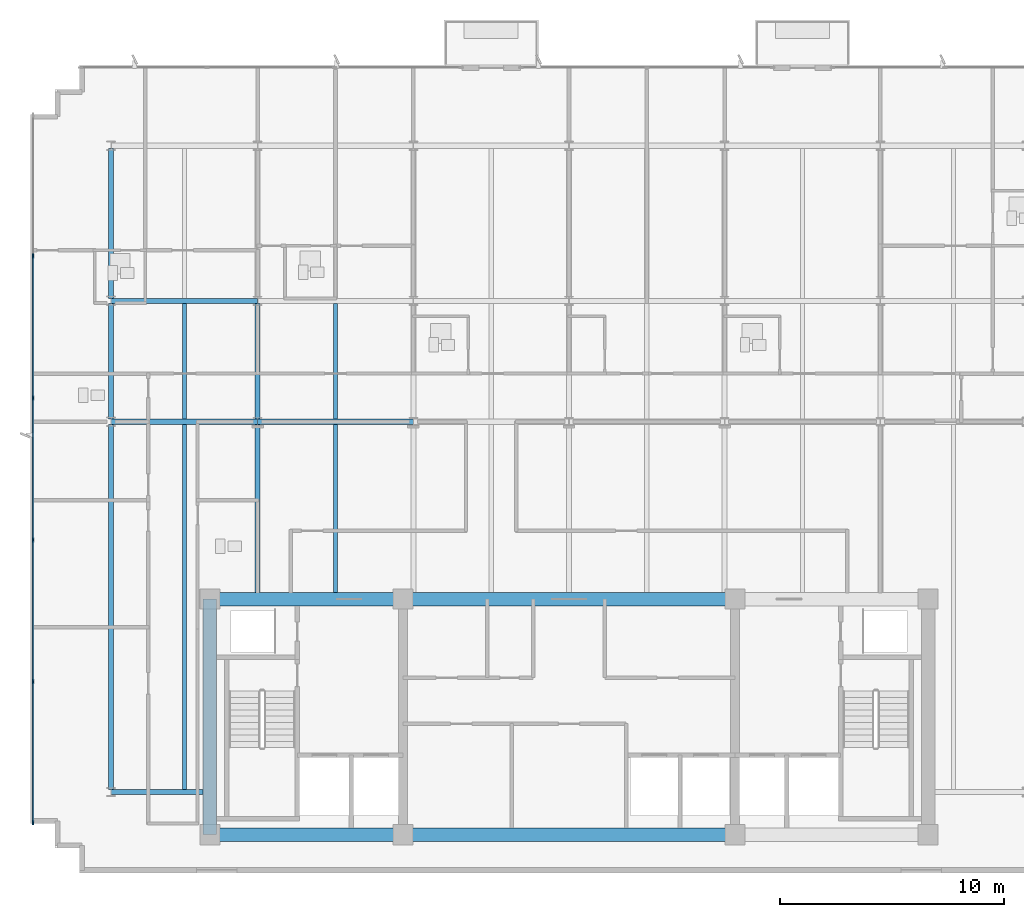
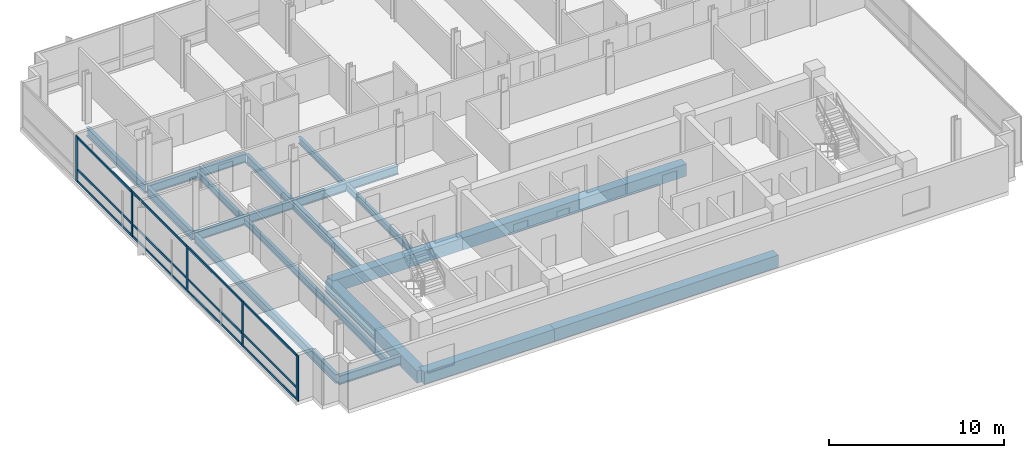
# One storey, part 2 of 14: 18 beams, 17 members, 1 element without a shape of its own.
"""IFC4 building model written with IfcOpenShell, lengths in metres."""

from ifc_helpers import new_model, si_unit, direction, frame, origin, origin_2d, place, context, subcontext, project, spatial, rectangle, i_section, extrude, material, material_profile, profile_set, type_object, element, aggregate, save


model = new_model("IFC4")

# Units and contexts
model_context = context("Model", 3, precision=1e-05, world=origin(), true_north=direction((0.0, 1.0)))
body_context = subcontext(model_context, "Body", "Model", "MODEL_VIEW")
ifc_project = project(units=[si_unit("LENGTHUNIT", "METRE"), si_unit("AREAUNIT", "SQUARE_METRE"), si_unit("VOLUMEUNIT", "CUBIC_METRE"), si_unit("PLANEANGLEUNIT", "RADIAN"), si_unit("MASSUNIT", "GRAM", prefix="KILO")], contexts=[model_context])

# Site, building, storey
site_placement = place(None, origin())
site = spatial("IfcSite", under=ifc_project, at=site_placement, CompositionType="ELEMENT")
building_placement = place(site_placement, origin())
building = spatial("IfcBuilding", under=site, at=building_placement, Name="Solmavex Isthmus Hotel", CompositionType="ELEMENT")
storey_placement = place(building_placement, frame((0.0, 0.0, 255.75)))
storey = spatial("IfcBuildingStorey", under=building, at=storey_placement, Name="L69", CompositionType="ELEMENT", Elevation=255.75)

# Beams
ifc_material_1 = material(Name="Steel ASTM A992 Grade 50", Category="steel")
ifc_material_profile_1 = material_profile(ifc_material_1, i_section(OverallWidth=0.1904296875, OverallDepth=0.456787109375, WebThickness=0.009033203125, FlangeThickness=0.014404296875, FilletRadius=0.0126953125, at=origin_2d()), Name="W18X50")
ifc_profile_set_1 = profile_set([ifc_material_profile_1], Name="Steel ASTM A992 Grade 50")
beam_type_1 = type_object("IfcBeamType", Name="BM-BJ-W18X50", PredefinedType="JOIST", material=ifc_profile_set_1)
beam_1_placement = place(storey_placement, frame((-17.135986328125, -10.98486328125, -0.488525390625), z_axis=(0.0, 1.0, 0.0), x_axis=(-1.0, 0.0, 0.0)))
element("IfcBeam", 1, at=beam_1_placement, inside=storey, type_object=beam_type_1, Name="Secondary Floor Joist L69-J01", PredefinedType="JOIST", context=body_context, shape_type="SweptSolid", body=[
    extrude(i_section(OverallWidth=0.1904296875, OverallDepth=0.456787109375, WebThickness=0.009033203125, FlangeThickness=0.014404296875, FilletRadius=0.0126953125, at=origin_2d()), origin(), (0.0, 0.0, 1.0), 16.27099609375),
])
beam_2_placement = place(storey_placement, frame((-17.135986328125, 5.513916015625, -0.488525390625), z_axis=(0.0, 1.0, 0.0), x_axis=(-1.0, 0.0, 0.0)))
element("IfcBeam", 2, at=beam_2_placement, inside=storey, type_object=beam_type_1, Name="Secondary Floor Joist L69-J02", PredefinedType="JOIST", context=body_context, shape_type="SweptSolid", body=[
    extrude(i_section(OverallWidth=0.1904296875, OverallDepth=0.456787109375, WebThickness=0.009033203125, FlangeThickness=0.014404296875, FilletRadius=0.0126953125, at=origin_2d()), origin(), (0.0, 0.0, 1.0), 5.16015625),
])
beam_3_placement = place(storey_placement, frame((-10.404052734375, -2.199951171875, -0.488525390625), z_axis=(0.0, 1.0, 0.0), x_axis=(-1.0, 0.0, 0.0)))
element("IfcBeam", 3, at=beam_3_placement, inside=storey, type_object=beam_type_1, Name="Secondary Floor Joist L69-J04", PredefinedType="JOIST", context=body_context, shape_type="SweptSolid", body=[
    extrude(i_section(OverallWidth=0.1904296875, OverallDepth=0.456787109375, WebThickness=0.009033203125, FlangeThickness=0.014404296875, FilletRadius=0.0126953125, at=origin_2d()), origin(), (0.0, 0.0, 1.0), 7.486083984375),
])
beam_4_placement = place(storey_placement, frame((-10.404052734375, 5.513916015625, -0.488525390625), z_axis=(0.0, 1.0, 0.0), x_axis=(-1.0, 0.0, 0.0)))
element("IfcBeam", 4, at=beam_4_placement, inside=storey, type_object=beam_type_1, Name="Secondary Floor Joist L69-J05", PredefinedType="JOIST", context=body_context, shape_type="SweptSolid", body=[
    extrude(i_section(OverallWidth=0.1904296875, OverallDepth=0.456787109375, WebThickness=0.009033203125, FlangeThickness=0.014404296875, FilletRadius=0.0126953125, at=origin_2d()), origin(), (0.0, 0.0, 1.0), 5.16015625),
])
ifc_material_profile_2 = material_profile(ifc_material_1, i_section(OverallWidth=0.227783203125, OverallDepth=0.602783203125, WebThickness=0.010498046875, FlangeThickness=0.014892578125, FilletRadius=0.01513671875, at=origin_2d()), Name="W24X68")
ifc_profile_set_2 = profile_set([ifc_material_profile_2], Name="Steel ASTM A992 Grade 50")
beam_type_2 = type_object("IfcBeamType", Name="BM-BM-W24X68", PredefinedType="BEAM", material=ifc_profile_set_2)
beam_5_placement = place(storey_placement, frame((-20.39990234375, 5.39990234375, -0.561279296875), z_axis=(1.0, 0.0, 0.0), x_axis=(0.0, 1.0, 0.0)))
element("IfcBeam", 5, at=beam_5_placement, inside=storey, type_object=beam_type_2, Name="Floor Girder L69-UG03", PredefinedType="BEAM", context=body_context, shape_type="SweptSolid", body=[
    extrude(i_section(OverallWidth=0.227783203125, OverallDepth=0.602783203125, WebThickness=0.010498046875, FlangeThickness=0.014892578125, FilletRadius=0.01513671875, at=origin_2d()), origin(), (0.0, 0.0, 1.0), 6.52783203125),
])
beam_6_placement = place(storey_placement, frame((-13.8720703125, 5.39990234375, -0.561279296875), z_axis=(1.0, 0.0, 0.0), x_axis=(0.0, 1.0, 0.0)))
element("IfcBeam", 6, at=beam_6_placement, inside=storey, type_object=beam_type_2, Name="Floor Girder L69-UG04", PredefinedType="BEAM", context=body_context, shape_type="SweptSolid", body=[
    extrude(i_section(OverallWidth=0.227783203125, OverallDepth=0.602783203125, WebThickness=0.010498046875, FlangeThickness=0.014892578125, FilletRadius=0.01513671875, at=origin_2d()), origin(), (0.0, 0.0, 1.0), 6.93603515625),
])
beam_7_placement = place(storey_placement, frame((-20.39990234375, 10.7880859375, -0.561279296875), z_axis=(1.0, 0.0, 0.0), x_axis=(0.0, 1.0, 0.0)))
element("IfcBeam", 7, at=beam_7_placement, inside=storey, type_object=beam_type_2, Name="Floor Girder L69-UG09", PredefinedType="BEAM", context=body_context, shape_type="SweptSolid", body=[
    extrude(i_section(OverallWidth=0.227783203125, OverallDepth=0.602783203125, WebThickness=0.010498046875, FlangeThickness=0.014892578125, FilletRadius=0.01513671875, at=origin_2d()), origin(), (0.0, 0.0, 1.0), 6.52783203125),
])
beam_8_placement = place(storey_placement, frame((-13.8720703125, -2.199951171875, -0.561279296875), z_axis=(0.0, 1.0, 0.0), x_axis=(-1.0, 0.0, 0.0)))
element("IfcBeam", 8, at=beam_8_placement, inside=storey, type_object=beam_type_2, Name="Floor Beam L69-VG24", PredefinedType="BEAM", context=body_context, shape_type="SweptSolid", body=[
    extrude(i_section(OverallWidth=0.227783203125, OverallDepth=0.602783203125, WebThickness=0.010498046875, FlangeThickness=0.014892578125, FilletRadius=0.01513671875, at=origin_2d()), origin(), (0.0, 0.0, 1.0), 7.486083984375),
])
beam_9_placement = place(storey_placement, frame((-13.8720703125, 5.513916015625, -0.561279296875), z_axis=(0.0, 1.0, 0.0), x_axis=(-1.0, 0.0, 0.0)))
element("IfcBeam", 9, at=beam_9_placement, inside=storey, type_object=beam_type_2, Name="Floor Beam L69-VG25", PredefinedType="BEAM", context=body_context, shape_type="SweptSolid", body=[
    extrude(i_section(OverallWidth=0.227783203125, OverallDepth=0.602783203125, WebThickness=0.010498046875, FlangeThickness=0.014892578125, FilletRadius=0.01513671875, at=origin_2d()), origin(), (0.0, 0.0, 1.0), 5.16015625),
])
ifc_material_2 = material(Name="Concrete C50/60", Category="concrete")
ifc_material_profile_3 = material_profile(ifc_material_2, rectangle(XDim=0.60009765625, YDim=0.85009765625, at=origin_2d()), Name="RC600X850")
ifc_profile_set_3 = profile_set([ifc_material_profile_3], Name="Concrete C50/60")
beam_type_3 = type_object("IfcBeamType", Name="BM-CB-600X850", PredefinedType="BEAM", material=ifc_profile_set_3)
beam_10_placement = place(storey_placement, frame((-16.0, -13.0, -0.68505859375), z_axis=(1.0, 0.0, 0.0), x_axis=(0.0, 1.0, 0.0)))
element("IfcBeam", 10, at=beam_10_placement, inside=storey, type_object=beam_type_3, Name="Core Coupling Beam L69-CB1", PredefinedType="BEAM", context=body_context, shape_type="SweptSolid", body=[
    extrude(rectangle(XDim=0.60009765625, YDim=0.85009765625, at=origin_2d()), origin(), (0.0, 0.0, 1.0), 8.60009765625),
])
beam_11_placement = place(storey_placement, frame((-7.39990234375, -13.0, -0.68505859375), z_axis=(1.0, 0.0, 0.0), x_axis=(0.0, 1.0, 0.0)))
element("IfcBeam", 11, at=beam_11_placement, inside=storey, type_object=beam_type_3, Name="Core Coupling Beam L69-CB2", PredefinedType="BEAM", context=body_context, shape_type="SweptSolid", body=[
    extrude(rectangle(XDim=0.60009765625, YDim=0.85009765625, at=origin_2d()), origin(), (0.0, 0.0, 1.0), 14.7998046875),
])
beam_12_placement = place(storey_placement, frame((-16.0, -2.5, -0.68505859375), z_axis=(1.0, 0.0, 0.0), x_axis=(0.0, 1.0, 0.0)))
element("IfcBeam", 12, at=beam_12_placement, inside=storey, type_object=beam_type_3, Name="Core Coupling Beam L69-CB4", PredefinedType="BEAM", context=body_context, shape_type="SweptSolid", body=[
    extrude(rectangle(XDim=0.60009765625, YDim=0.85009765625, at=origin_2d()), origin(), (0.0, 0.0, 1.0), 8.60009765625),
])
beam_13_placement = place(storey_placement, frame((-7.39990234375, -2.5, -0.68505859375), z_axis=(1.0, 0.0, 0.0), x_axis=(0.0, 1.0, 0.0)))
element("IfcBeam", 13, at=beam_13_placement, inside=storey, type_object=beam_type_3, Name="Core Coupling Beam L69-CB5", PredefinedType="BEAM", context=body_context, shape_type="SweptSolid", body=[
    extrude(rectangle(XDim=0.60009765625, YDim=0.85009765625, at=origin_2d()), origin(), (0.0, 0.0, 1.0), 14.7998046875),
])
beam_14_placement = place(storey_placement, frame((-16.0, -13.0, -0.68505859375), z_axis=(0.0, 1.0, 0.0), x_axis=(-1.0, 0.0, 0.0)))
element("IfcBeam", 14, at=beam_14_placement, inside=storey, type_object=beam_type_3, Name="Core Coupling Beam L69-CB7", PredefinedType="BEAM", context=body_context, shape_type="SweptSolid", body=[
    extrude(rectangle(XDim=0.60009765625, YDim=0.85009765625, at=origin_2d()), origin(), (0.0, 0.0, 1.0), 10.5),
])
ifc_material_profile_4 = material_profile(ifc_material_1, i_section(OverallWidth=0.230224609375, OverallDepth=0.617431640625, WebThickness=0.01318359375, FlangeThickness=0.022216796875, FilletRadius=0.01513671875, at=origin_2d()), Name="W24X94")
ifc_profile_set_4 = profile_set([ifc_material_profile_4], Name="Steel ASTM A992 Grade 50")
beam_type_4 = type_object("IfcBeamType", Name="BM-SP-W24X94", PredefinedType="SPANDREL", material=ifc_profile_set_4)
beam_15_placement = place(storey_placement, frame((-20.39990234375, -11.10009765625, -0.56884765625), z_axis=(1.0, 0.0, 0.0), x_axis=(0.0, 1.0, 0.0)))
element("IfcBeam", 15, at=beam_15_placement, inside=storey, type_object=beam_type_4, Name="Floor Girder L69-UG01", PredefinedType="SPANDREL", context=body_context, shape_type="SweptSolid", body=[
    extrude(i_section(OverallWidth=0.230224609375, OverallDepth=0.617431640625, WebThickness=0.01318359375, FlangeThickness=0.022216796875, FilletRadius=0.01513671875, at=origin_2d()), origin(), (0.0, 0.0, 1.0), 4.099853515625),
])
beam_16_placement = place(storey_placement, frame((-20.39990234375, -10.98486328125, -0.56884765625), z_axis=(0.0, 1.0, 0.0), x_axis=(-1.0, 0.0, 0.0)))
element("IfcBeam", 16, at=beam_16_placement, inside=storey, type_object=beam_type_4, Name="Floor Beam L69-VG21", PredefinedType="SPANDREL", context=body_context, shape_type="SweptSolid", body=[
    extrude(i_section(OverallWidth=0.230224609375, OverallDepth=0.617431640625, WebThickness=0.01318359375, FlangeThickness=0.022216796875, FilletRadius=0.01513671875, at=origin_2d()), origin(), (0.0, 0.0, 1.0), 16.27099609375),
])
beam_17_placement = place(storey_placement, frame((-20.39990234375, 5.513916015625, -0.56884765625), z_axis=(0.0, 1.0, 0.0), x_axis=(-1.0, 0.0, 0.0)))
element("IfcBeam", 17, at=beam_17_placement, inside=storey, type_object=beam_type_4, Name="Floor Beam L69-VG22", PredefinedType="SPANDREL", context=body_context, shape_type="SweptSolid", body=[
    extrude(i_section(OverallWidth=0.230224609375, OverallDepth=0.617431640625, WebThickness=0.01318359375, FlangeThickness=0.022216796875, FilletRadius=0.01513671875, at=origin_2d()), origin(), (0.0, 0.0, 1.0), 5.16015625),
])
beam_18_placement = place(storey_placement, frame((-20.39990234375, 10.90185546875, -0.56884765625), z_axis=(0.0, 1.0, 0.0), x_axis=(-1.0, 0.0, 0.0)))
element("IfcBeam", 18, at=beam_18_placement, inside=storey, type_object=beam_type_4, Name="Floor Beam L69-VG23", PredefinedType="SPANDREL", context=body_context, shape_type="SweptSolid", body=[
    extrude(i_section(OverallWidth=0.230224609375, OverallDepth=0.617431640625, WebThickness=0.01318359375, FlangeThickness=0.022216796875, FilletRadius=0.01513671875, at=origin_2d()), origin(), (0.0, 0.0, 1.0), 6.682861328125),
])

# Curtain wall, members
ifc_material_3 = material(Name="Aluminium alloy 6063-T6", Category="aluminium")
curtain_wall_type = type_object("IfcCurtainWallType", Name="CW-SYS-04", PredefinedType="NOTDEFINED", material=ifc_material_3)
curtain_wall_placement = place(storey_placement, origin())
curtain_wall = element("IfcCurtainWall", 19, at=curtain_wall_placement, inside=storey, type_object=curtain_wall_type, Name="Stick Curtain Wall CWL-L69-W1", PredefinedType="NOTDEFINED")
ifc_material_profile_5 = material_profile(ifc_material_3, rectangle(XDim=0.074951171875, YDim=0.199951171875, at=origin_2d()), Name="CWM-75X200")
ifc_profile_set_5 = profile_set([ifc_material_profile_5], Name="Aluminium alloy 6063-T6")
member_type_1 = type_object("IfcMemberType", Name="CW-SYS-04-MUL", PredefinedType="MULLION", material=ifc_profile_set_5)
member_1_placement = place(storey_placement, frame((-23.8798828125, -12.46240234375, 0.0), z_axis=(0.0, 0.0, 1.0), x_axis=(-1.0, 0.0, 0.0)))
member_1 = element("IfcMember", 20, at=member_1_placement, type_object=member_type_1, Name="CW-04 mullion 1", PredefinedType="MULLION", context=body_context, shape_type="SweptSolid", body=[
    extrude(rectangle(XDim=0.074951171875, YDim=0.199951171875, at=origin_2d()), origin(), (0.0, 0.0, 1.0), 3.18994140625),
])
member_2_placement = place(storey_placement, frame((-23.8798828125, -6.179931640625, 0.0), z_axis=(0.0, 0.0, 1.0), x_axis=(-1.0, 0.0, 0.0)))
member_2 = element("IfcMember", 21, at=member_2_placement, type_object=member_type_1, Name="CW-04 mullion 2", PredefinedType="MULLION", context=body_context, shape_type="SweptSolid", body=[
    extrude(rectangle(XDim=0.074951171875, YDim=0.199951171875, at=origin_2d()), origin(), (0.0, 0.0, 1.0), 3.18994140625),
])
member_3_placement = place(storey_placement, frame((-23.8798828125, 0.139892578125, 0.0), z_axis=(0.0, 0.0, 1.0), x_axis=(-1.0, 0.0, 0.0)))
member_3 = element("IfcMember", 22, at=member_3_placement, type_object=member_type_1, Name="CW-04 mullion 3", PredefinedType="MULLION", context=body_context, shape_type="SweptSolid", body=[
    extrude(rectangle(XDim=0.074951171875, YDim=0.199951171875, at=origin_2d()), origin(), (0.0, 0.0, 1.0), 3.18994140625),
])
member_4_placement = place(storey_placement, frame((-23.8798828125, 6.4599609375, 0.0), z_axis=(0.0, 0.0, 1.0), x_axis=(-1.0, 0.0, 0.0)))
member_4 = element("IfcMember", 23, at=member_4_placement, type_object=member_type_1, Name="CW-04 mullion 4", PredefinedType="MULLION", context=body_context, shape_type="SweptSolid", body=[
    extrude(rectangle(XDim=0.074951171875, YDim=0.199951171875, at=origin_2d()), origin(), (0.0, 0.0, 1.0), 3.18994140625),
])
member_5_placement = place(storey_placement, frame((-23.8798828125, 12.780029296875, 0.0), z_axis=(0.0, 0.0, 1.0), x_axis=(-1.0, 0.0, 0.0)))
member_5 = element("IfcMember", 24, at=member_5_placement, type_object=member_type_1, Name="CW-04 mullion 5", PredefinedType="MULLION", context=body_context, shape_type="SweptSolid", body=[
    extrude(rectangle(XDim=0.074951171875, YDim=0.199951171875, at=origin_2d()), origin(), (0.0, 0.0, 1.0), 3.18994140625),
])
ifc_material_profile_6 = material_profile(ifc_material_3, rectangle(XDim=0.074951171875, YDim=0.14990234375, at=origin_2d()), Name="CWT-75X150")
ifc_profile_set_6 = profile_set([ifc_material_profile_6], Name="Aluminium alloy 6063-T6")
member_type_2 = type_object("IfcMemberType", Name="CW-SYS-04-TRN", PredefinedType="USERDEFINED", material=ifc_profile_set_6)
member_6_placement = place(storey_placement, frame((-23.8798828125, -12.425048828125, 0.074951171875), z_axis=(0.0, 1.0, 0.0), x_axis=(-1.0, 0.0, 0.0)))
member_6 = element("IfcMember", 25, at=member_6_placement, type_object=member_type_2, Name="CW-04 transom 1.1", ObjectType="TRANSOM", PredefinedType="USERDEFINED", context=body_context, shape_type="SweptSolid", body=[
    extrude(rectangle(XDim=0.074951171875, YDim=0.14990234375, at=origin_2d()), origin(), (0.0, 0.0, 1.0), 6.20751953125),
])
member_7_placement = place(storey_placement, frame((-23.8798828125, -12.425048828125, 0.89990234375), z_axis=(0.0, 1.0, 0.0), x_axis=(-1.0, 0.0, 0.0)))
member_7 = element("IfcMember", 26, at=member_7_placement, type_object=member_type_2, Name="CW-04 transom 1.2", ObjectType="TRANSOM", PredefinedType="USERDEFINED", context=body_context, shape_type="SweptSolid", body=[
    extrude(rectangle(XDim=0.074951171875, YDim=0.14990234375, at=origin_2d()), origin(), (0.0, 0.0, 1.0), 6.20751953125),
])
member_8_placement = place(storey_placement, frame((-23.8798828125, -12.425048828125, 3.114990234375), z_axis=(0.0, 1.0, 0.0), x_axis=(-1.0, 0.0, 0.0)))
member_8 = element("IfcMember", 27, at=member_8_placement, type_object=member_type_2, Name="CW-04 transom 1.3", ObjectType="TRANSOM", PredefinedType="USERDEFINED", context=body_context, shape_type="SweptSolid", body=[
    extrude(rectangle(XDim=0.074951171875, YDim=0.14990234375, at=origin_2d()), origin(), (0.0, 0.0, 1.0), 6.20751953125),
])
member_9_placement = place(storey_placement, frame((-23.8798828125, -6.142578125, 0.074951171875), z_axis=(0.0, 1.0, 0.0), x_axis=(-1.0, 0.0, 0.0)))
member_9 = element("IfcMember", 28, at=member_9_placement, type_object=member_type_2, Name="CW-04 transom 2.1", ObjectType="TRANSOM", PredefinedType="USERDEFINED", context=body_context, shape_type="SweptSolid", body=[
    extrude(rectangle(XDim=0.074951171875, YDim=0.14990234375, at=origin_2d()), origin(), (0.0, 0.0, 1.0), 6.2451171875),
])
member_10_placement = place(storey_placement, frame((-23.8798828125, -6.142578125, 0.89990234375), z_axis=(0.0, 1.0, 0.0), x_axis=(-1.0, 0.0, 0.0)))
member_10 = element("IfcMember", 29, at=member_10_placement, type_object=member_type_2, Name="CW-04 transom 2.2", ObjectType="TRANSOM", PredefinedType="USERDEFINED", context=body_context, shape_type="SweptSolid", body=[
    extrude(rectangle(XDim=0.074951171875, YDim=0.14990234375, at=origin_2d()), origin(), (0.0, 0.0, 1.0), 6.2451171875),
])
member_11_placement = place(storey_placement, frame((-23.8798828125, -6.142578125, 3.114990234375), z_axis=(0.0, 1.0, 0.0), x_axis=(-1.0, 0.0, 0.0)))
member_11 = element("IfcMember", 30, at=member_11_placement, type_object=member_type_2, Name="CW-04 transom 2.3", ObjectType="TRANSOM", PredefinedType="USERDEFINED", context=body_context, shape_type="SweptSolid", body=[
    extrude(rectangle(XDim=0.074951171875, YDim=0.14990234375, at=origin_2d()), origin(), (0.0, 0.0, 1.0), 6.2451171875),
])
member_12_placement = place(storey_placement, frame((-23.8798828125, 0.177490234375, 0.074951171875), z_axis=(0.0, 1.0, 0.0), x_axis=(-1.0, 0.0, 0.0)))
member_12 = element("IfcMember", 31, at=member_12_placement, type_object=member_type_2, Name="CW-04 transom 3.1", ObjectType="TRANSOM", PredefinedType="USERDEFINED", context=body_context, shape_type="SweptSolid", body=[
    extrude(rectangle(XDim=0.074951171875, YDim=0.14990234375, at=origin_2d()), origin(), (0.0, 0.0, 1.0), 6.2451171875),
])
member_13_placement = place(storey_placement, frame((-23.8798828125, 0.177490234375, 0.89990234375), z_axis=(0.0, 1.0, 0.0), x_axis=(-1.0, 0.0, 0.0)))
member_13 = element("IfcMember", 32, at=member_13_placement, type_object=member_type_2, Name="CW-04 transom 3.2", ObjectType="TRANSOM", PredefinedType="USERDEFINED", context=body_context, shape_type="SweptSolid", body=[
    extrude(rectangle(XDim=0.074951171875, YDim=0.14990234375, at=origin_2d()), origin(), (0.0, 0.0, 1.0), 6.2451171875),
])
member_14_placement = place(storey_placement, frame((-23.8798828125, 0.177490234375, 3.114990234375), z_axis=(0.0, 1.0, 0.0), x_axis=(-1.0, 0.0, 0.0)))
member_14 = element("IfcMember", 33, at=member_14_placement, type_object=member_type_2, Name="CW-04 transom 3.3", ObjectType="TRANSOM", PredefinedType="USERDEFINED", context=body_context, shape_type="SweptSolid", body=[
    extrude(rectangle(XDim=0.074951171875, YDim=0.14990234375, at=origin_2d()), origin(), (0.0, 0.0, 1.0), 6.2451171875),
])
member_15_placement = place(storey_placement, frame((-23.8798828125, 6.49755859375, 0.074951171875), z_axis=(0.0, 1.0, 0.0), x_axis=(-1.0, 0.0, 0.0)))
member_15 = element("IfcMember", 34, at=member_15_placement, type_object=member_type_2, Name="CW-04 transom 4.1", ObjectType="TRANSOM", PredefinedType="USERDEFINED", context=body_context, shape_type="SweptSolid", body=[
    extrude(rectangle(XDim=0.074951171875, YDim=0.14990234375, at=origin_2d()), origin(), (0.0, 0.0, 1.0), 6.244873046875),
])
member_16_placement = place(storey_placement, frame((-23.8798828125, 6.49755859375, 0.89990234375), z_axis=(0.0, 1.0, 0.0), x_axis=(-1.0, 0.0, 0.0)))
member_16 = element("IfcMember", 35, at=member_16_placement, type_object=member_type_2, Name="CW-04 transom 4.2", ObjectType="TRANSOM", PredefinedType="USERDEFINED", context=body_context, shape_type="SweptSolid", body=[
    extrude(rectangle(XDim=0.074951171875, YDim=0.14990234375, at=origin_2d()), origin(), (0.0, 0.0, 1.0), 6.244873046875),
])
member_17_placement = place(storey_placement, frame((-23.8798828125, 6.49755859375, 3.114990234375), z_axis=(0.0, 1.0, 0.0), x_axis=(-1.0, 0.0, 0.0)))
member_17 = element("IfcMember", 36, at=member_17_placement, type_object=member_type_2, Name="CW-04 transom 4.3", ObjectType="TRANSOM", PredefinedType="USERDEFINED", context=body_context, shape_type="SweptSolid", body=[
    extrude(rectangle(XDim=0.074951171875, YDim=0.14990234375, at=origin_2d()), origin(), (0.0, 0.0, 1.0), 6.244873046875),
])
aggregate(curtain_wall, [member_1, member_2, member_3, member_4, member_5, member_6, member_7, member_8, member_9, member_10, member_11, member_12, member_13, member_14, member_15, member_16, member_17])

save(model, "model.ifc")
